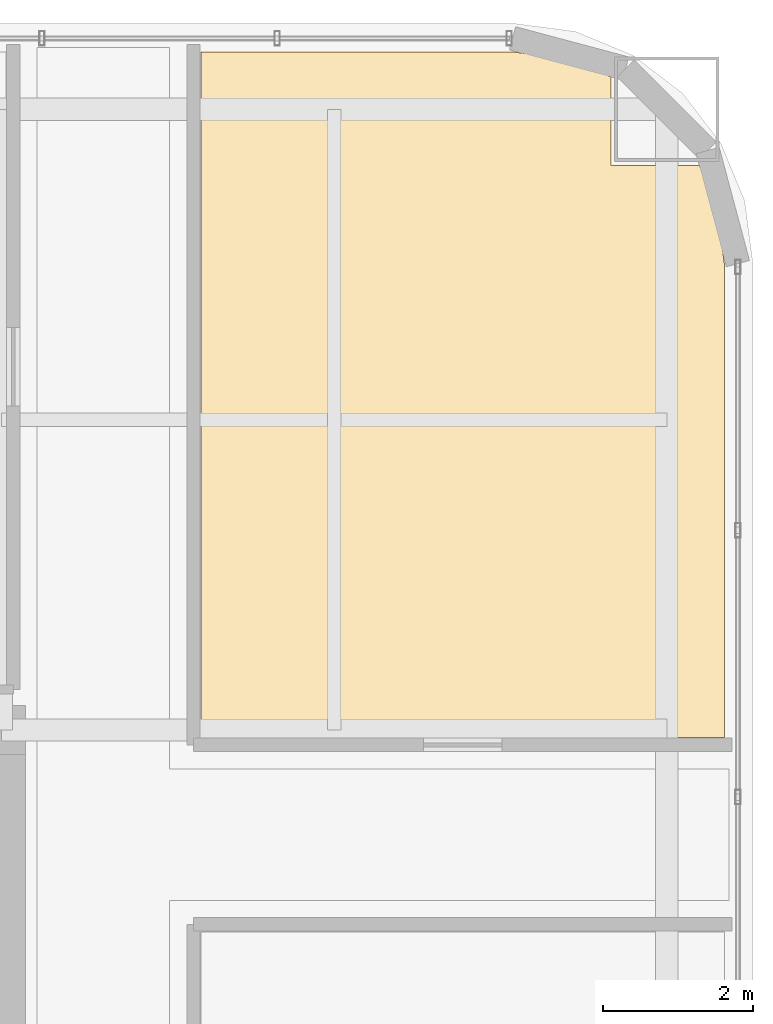
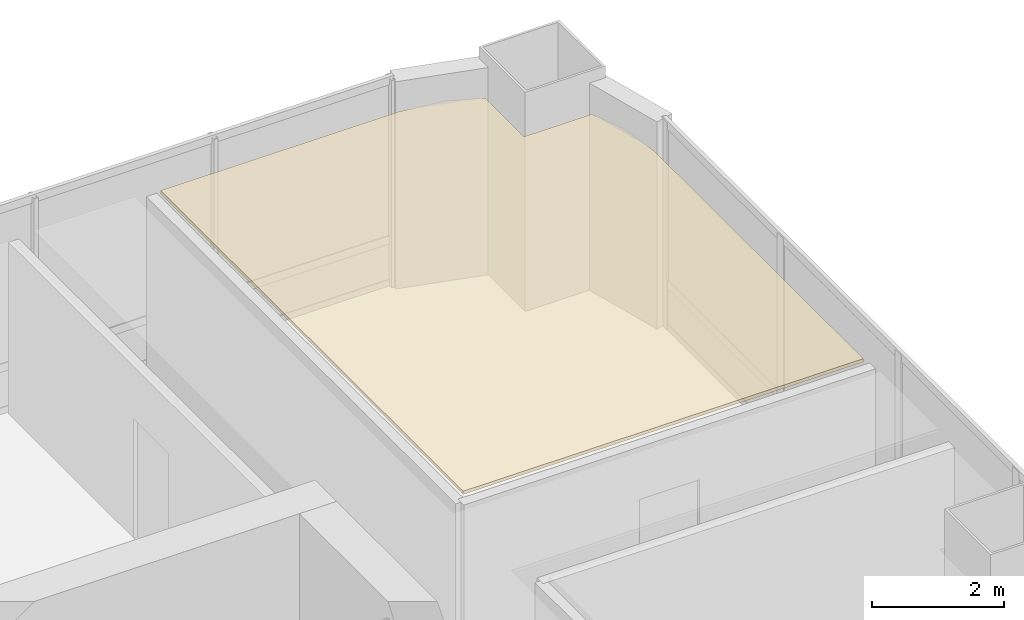
# One storey, part 38 of 38: 1 covering.
"""IFC4 building model written with IfcOpenShell, lengths in metres."""

from ifc_helpers import new_model, si_unit, direction, frame, origin, place, context, subcontext, project, spatial, polyline, outline, extrude, material, layer, layer_set, type_object, element, save


model = new_model("IFC4")

# Units and contexts
model_context = context("Model", 3, precision=1e-05, world=origin(), true_north=direction((0.0, 1.0)))
body_context = subcontext(model_context, "Body", "Model", "MODEL_VIEW")
ifc_project = project(units=[si_unit("LENGTHUNIT", "METRE"), si_unit("AREAUNIT", "SQUARE_METRE"), si_unit("VOLUMEUNIT", "CUBIC_METRE"), si_unit("PLANEANGLEUNIT", "RADIAN"), si_unit("MASSUNIT", "GRAM", prefix="KILO")], contexts=[model_context])

# Site, building, storey
site_placement = place(None, origin())
site = spatial("IfcSite", under=ifc_project, at=site_placement, CompositionType="ELEMENT")
building_placement = place(site_placement, origin())
building = spatial("IfcBuilding", under=site, at=building_placement, Name="Punatoya Terracotta Tower", CompositionType="ELEMENT")
storey_placement = place(building_placement, frame((0.0, 0.0, 188.39990234375)))
storey = spatial("IfcBuildingStorey", under=building, at=storey_placement, Name="L44", CompositionType="ELEMENT", Elevation=188.39990234375)

# Covering
ifc_material = material(Name="Acoustic Mineral Fibre Ceiling")
ifc_layer = layer(ifc_material, 0.06005859375)
ifc_layer_set = layer_set([ifc_layer], Name="Acoustic Mineral Fibre Ceiling")
covering_type = type_object("IfcCoveringType", Name="COV-CEIL-60", PredefinedType="CEILING", material=ifc_layer_set)
covering_placement = place(storey_placement, frame((0.0, 0.0, 3.22021484375)))
element("IfcCovering", 1, at=covering_placement, inside=storey, type_object=covering_type, Name="L44 Open-Plan Wellness Quiet Room Acoustic Ceiling", PredefinedType="CEILING", context=body_context, shape_type="SweptSolid", body=[
    extrude(outline(polyline([(17.779052734375, 18.1708984375), (17.025146484375, 18.27001953125), (12.8701171875, 18.27001953125), (12.8701171875, 9.10009765625), (19.8701171875, 9.10009765625), (19.8701171875, 15.425048828125), (19.770751953125, 16.178955078125), (19.5341796875, 16.75), (18.35009765625, 16.75), (18.35009765625, 17.934326171875), (17.779052734375, 18.1708984375)])), origin(), (0.0, 0.0, 1.0), 0.059814453125),
])

save(model, "model.ifc")
